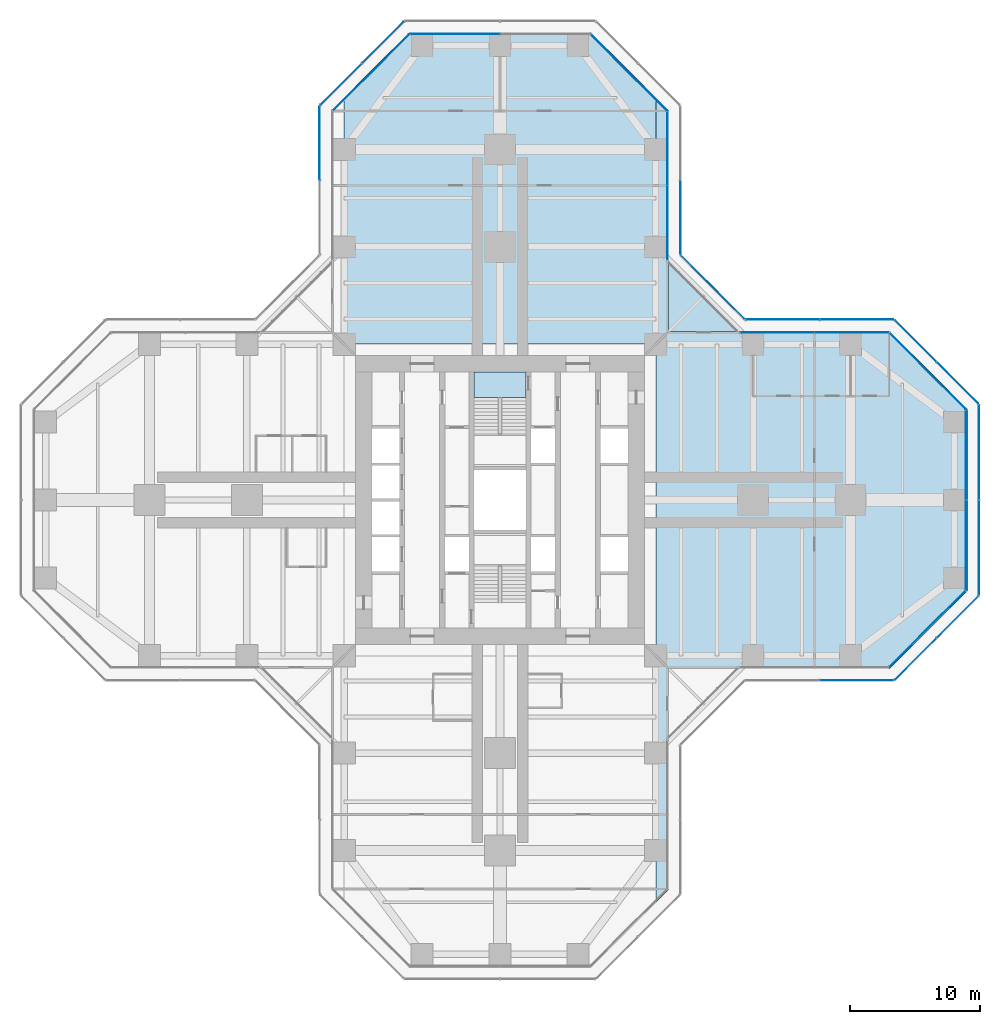
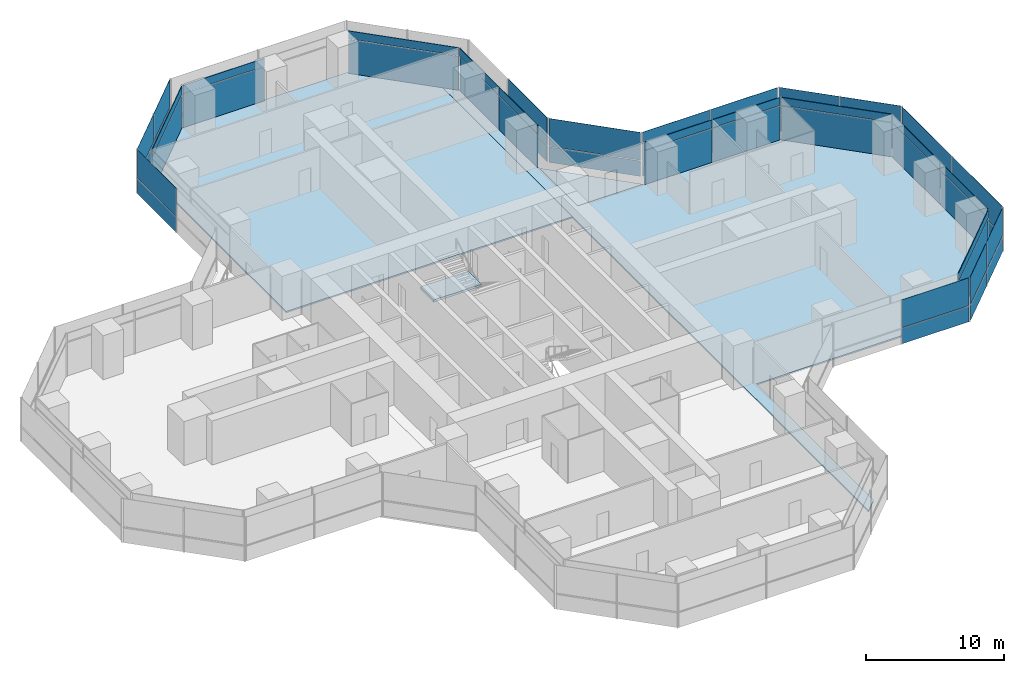
# One storey, part 16 of 22: 50 plates, 4 slabs, 18 elements without a shape of their own.
"""IFC4 building model written with IfcOpenShell, lengths in metres."""

from ifc_helpers import new_model, si_unit, direction, frame, origin, origin_2d, place, context, subcontext, project, spatial, polyline, rectangle, outline, extrude, material, layer, layer_set, type_object, element, aggregate, save


model = new_model("IFC4")

# Units and contexts
model_context = context("Model", 3, precision=1e-05, world=origin(), true_north=direction((0.0, 1.0)))
body_context = subcontext(model_context, "Body", "Model", "MODEL_VIEW")
ifc_project = project(units=[si_unit("LENGTHUNIT", "METRE"), si_unit("AREAUNIT", "SQUARE_METRE"), si_unit("VOLUMEUNIT", "CUBIC_METRE"), si_unit("PLANEANGLEUNIT", "RADIAN"), si_unit("MASSUNIT", "GRAM", prefix="KILO")], contexts=[model_context])

# Site, building, storey
site_placement = place(None, origin())
site = spatial("IfcSite", under=ifc_project, at=site_placement, CompositionType="ELEMENT")
building_placement = place(site_placement, origin())
building = spatial("IfcBuilding", under=site, at=building_placement, Name="Mizan Broadcast Tower", CompositionType="ELEMENT")
storey_placement = place(building_placement, frame((0.0, 0.0, 98.10009765625)))
storey = spatial("IfcBuildingStorey", under=building, at=storey_placement, Name="L21", CompositionType="ELEMENT", Elevation=98.10009765625)

# Slabs
ifc_material_1 = material(Name="Concrete C32/40", Category="concrete")
ifc_layer_1 = layer(ifc_material_1, 0.1298828125)
ifc_layer_set_1 = layer_set([ifc_layer_1], Name="Concrete C32/40")
slab_type_1 = type_object("IfcSlabType", Name="COMPOSITE DECK SLAB 130", PredefinedType="FLOOR", material=ifc_layer_set_1)
slab_1_placement = place(storey_placement, frame((0.0, 0.0, -0.130126953125)))
element("IfcSlab", 1, at=slab_1_placement, inside=storey, type_object=slab_type_1, Name="Floor slab L21 east arm", PredefinedType="FLOOR", context=body_context, shape_type="SweptSolid", body=[
    extrude(outline(polyline([(12.0, -31.0), (13.0, -30.0), (13.0, -13.0), (30.0, -13.0), (36.0, -7.0), (36.0, 7.0), (30.0, 13.0), (13.0, 13.0), (13.0, 30.0), (12.0, 31.0), (12.0, -31.0)])), origin(), (0.0, 0.0, 1.0), 0.130126953125),
])
slab_2_placement = place(storey_placement, frame((0.0, 0.0, -0.130126953125)))
element("IfcSlab", 2, at=slab_2_placement, inside=storey, type_object=slab_type_1, Name="Floor slab L21 north arm", PredefinedType="FLOOR", context=body_context, shape_type="SweptSolid", body=[
    extrude(outline(polyline([(-7.0, 36.0), (-12.0, 31.0), (-12.0, 12.0), (12.0, 12.0), (12.0, 31.0), (7.0, 36.0), (-7.0, 36.0)])), origin(), (0.0, 0.0, 1.0), 0.130126953125),
])

# Curtain wall, plate
ifc_material_2 = material(Name="Aluminium framed glazing", Category="aluminium")
curtain_wall_type_1 = type_object("IfcCurtainWallType", Name="INNER SKIN LOW ZONE", PredefinedType="USERDEFINED", material=ifc_material_2)
curtain_wall_1_placement = place(storey_placement, origin())
curtain_wall_1 = element("IfcCurtainWall", 3, at=curtain_wall_1_placement, inside=storey, type_object=curtain_wall_type_1, Name="Inner skin low zone L21 E chamfer", ObjectType="INNER SKIN LOW ZONE", PredefinedType="USERDEFINED")
ifc_material_3 = material(Name="Double glazing, clear low-e", Category="glass")
ifc_layer_2 = layer(ifc_material_3, 0.028076171875)
ifc_layer_set_2 = layer_set([ifc_layer_2], Name="Double glazing, clear low-e")
plate_type_1 = type_object("IfcPlateType", Name="INNER SKIN GLAZING UNIT", PredefinedType="CURTAIN_PANEL", material=ifc_layer_set_2)
plate_1_placement = place(storey_placement, frame((32.92919921875, -9.92919921875, 0.0), z_axis=(0.0, 0.0, 1.0), x_axis=(0.707106781187, 0.707106781187, 0.0)))
plate_1 = element("IfcPlate", 4, at=plate_1_placement, type_object=plate_type_1, Name="Inner skin low zone L21 E chamfer panel 1.1", PredefinedType="CURTAIN_PANEL", context=body_context, shape_type="SweptSolid", body=[
    extrude(rectangle(XDim=8.282470703125, YDim=0.028076171875, at=origin_2d()), origin(), (0.0, 0.0, 1.0), 3.0),
])

# Curtain wall, plates
curtain_wall_2_placement = place(storey_placement, origin())
curtain_wall_2 = element("IfcCurtainWall", 5, at=curtain_wall_2_placement, inside=storey, type_object=curtain_wall_type_1, Name="Inner skin low zone L21 E end", ObjectType="INNER SKIN LOW ZONE", PredefinedType="USERDEFINED")
plate_2_placement = place(storey_placement, frame((35.89990234375, -3.46435546875, 0.0), z_axis=(0.0, 0.0, 1.0), x_axis=(0.0, 1.0, 0.0)))
plate_2 = element("IfcPlate", 6, at=plate_2_placement, type_object=plate_type_1, Name="Inner skin low zone L21 E end panel 1.1", PredefinedType="CURTAIN_PANEL", context=body_context, shape_type="SweptSolid", body=[
    extrude(rectangle(XDim=6.86865234375, YDim=0.028076171875, at=origin_2d()), origin(), (0.0, 0.0, 1.0), 3.0),
])
plate_3_placement = place(storey_placement, frame((35.89990234375, 3.46435546875, 0.0), z_axis=(0.0, 0.0, 1.0), x_axis=(0.0, 1.0, 0.0)))
plate_3 = element("IfcPlate", 7, at=plate_3_placement, type_object=plate_type_1, Name="Inner skin low zone L21 E end panel 2.1", PredefinedType="CURTAIN_PANEL", context=body_context, shape_type="SweptSolid", body=[
    extrude(rectangle(XDim=6.86865234375, YDim=0.028076171875, at=origin_2d()), origin(), (0.0, 0.0, 1.0), 3.0),
])

# Curtain wall, plate
curtain_wall_3_placement = place(storey_placement, origin())
curtain_wall_3 = element("IfcCurtainWall", 8, at=curtain_wall_3_placement, inside=storey, type_object=curtain_wall_type_1, Name="Inner skin low zone L21 E chamfer", ObjectType="INNER SKIN LOW ZONE", PredefinedType="USERDEFINED")
plate_4_placement = place(storey_placement, frame((32.92919921875, 9.92919921875, 0.0), z_axis=(0.0, 0.0, 1.0), x_axis=(-0.707106781187, 0.707106781187, 0.0)))
plate_4 = element("IfcPlate", 9, at=plate_4_placement, type_object=plate_type_1, Name="Inner skin low zone L21 E chamfer panel 1.1", PredefinedType="CURTAIN_PANEL", context=body_context, shape_type="SweptSolid", body=[
    extrude(rectangle(XDim=8.282470703125, YDim=0.028076171875, at=origin_2d()), origin(), (0.0, 0.0, 1.0), 3.0),
])

# Curtain wall, plates
curtain_wall_4_placement = place(storey_placement, origin())
curtain_wall_4 = element("IfcCurtainWall", 10, at=curtain_wall_4_placement, inside=storey, type_object=curtain_wall_type_1, Name="Inner skin low zone L21 E side", ObjectType="INNER SKIN LOW ZONE", PredefinedType="USERDEFINED")
plate_5_placement = place(storey_placement, frame((27.078857421875, 12.89990234375, 0.0), z_axis=(0.0, 0.0, 1.0), x_axis=(-1.0, 0.0, 0.0)))
plate_5 = element("IfcPlate", 11, at=plate_5_placement, type_object=plate_type_1, Name="Inner skin low zone L21 E side panel 1.1", PredefinedType="CURTAIN_PANEL", context=body_context, shape_type="SweptSolid", body=[
    extrude(rectangle(XDim=5.639404296875, YDim=0.028076171875, at=origin_2d()), origin(), (0.0, 0.0, 1.0), 3.0),
])
plate_6_placement = place(storey_placement, frame((21.379638671875, 12.89990234375, 0.0), z_axis=(0.0, 0.0, 1.0), x_axis=(-1.0, 0.0, 0.0)))
plate_6 = element("IfcPlate", 12, at=plate_6_placement, type_object=plate_type_1, Name="Inner skin low zone L21 E side panel 2.1", PredefinedType="CURTAIN_PANEL", context=body_context, shape_type="SweptSolid", body=[
    extrude(rectangle(XDim=5.639404296875, YDim=0.028076171875, at=origin_2d()), origin(), (0.0, 0.0, 1.0), 3.0),
])

curtain_wall_5_placement = place(storey_placement, origin())
curtain_wall_5 = element("IfcCurtainWall", 13, at=curtain_wall_5_placement, inside=storey, type_object=curtain_wall_type_1, Name="Inner skin low zone L21 N side", ObjectType="INNER SKIN LOW ZONE", PredefinedType="USERDEFINED")
plate_7_placement = place(storey_placement, frame((12.89990234375, 21.379638671875, 0.0), z_axis=(0.0, 0.0, 1.0), x_axis=(0.0, 1.0, 0.0)))
plate_7 = element("IfcPlate", 14, at=plate_7_placement, type_object=plate_type_1, Name="Inner skin low zone L21 N side panel 1.1", PredefinedType="CURTAIN_PANEL", context=body_context, shape_type="SweptSolid", body=[
    extrude(rectangle(XDim=5.639404296875, YDim=0.028076171875, at=origin_2d()), origin(), (0.0, 0.0, 1.0), 3.0),
])
plate_8_placement = place(storey_placement, frame((12.89990234375, 27.078857421875, 0.0), z_axis=(0.0, 0.0, 1.0), x_axis=(0.0, 1.0, 0.0)))
plate_8 = element("IfcPlate", 15, at=plate_8_placement, type_object=plate_type_1, Name="Inner skin low zone L21 N side panel 2.1", PredefinedType="CURTAIN_PANEL", context=body_context, shape_type="SweptSolid", body=[
    extrude(rectangle(XDim=5.639404296875, YDim=0.028076171875, at=origin_2d()), origin(), (0.0, 0.0, 1.0), 3.0),
])

# Curtain wall, plate
curtain_wall_6_placement = place(storey_placement, origin())
curtain_wall_6 = element("IfcCurtainWall", 16, at=curtain_wall_6_placement, inside=storey, type_object=curtain_wall_type_1, Name="Inner skin low zone L21 N chamfer", ObjectType="INNER SKIN LOW ZONE", PredefinedType="USERDEFINED")
plate_9_placement = place(storey_placement, frame((9.92919921875, 32.92919921875, 0.0), z_axis=(0.0, 0.0, 1.0), x_axis=(-0.707106781187, 0.707106781187, 0.0)))
plate_9 = element("IfcPlate", 17, at=plate_9_placement, type_object=plate_type_1, Name="Inner skin low zone L21 N chamfer panel 1.1", PredefinedType="CURTAIN_PANEL", context=body_context, shape_type="SweptSolid", body=[
    extrude(rectangle(XDim=8.282470703125, YDim=0.028076171875, at=origin_2d()), origin(), (0.0, 0.0, 1.0), 3.0),
])

curtain_wall_7_placement = place(storey_placement, origin())
curtain_wall_7 = element("IfcCurtainWall", 18, at=curtain_wall_7_placement, inside=storey, type_object=curtain_wall_type_1, Name="Inner skin low zone L21 N end", ObjectType="INNER SKIN LOW ZONE", PredefinedType="USERDEFINED")
plate_10_placement = place(storey_placement, frame((-3.46435546875, 35.89990234375, 0.0), z_axis=(0.0, 0.0, 1.0), x_axis=(-1.0, 0.0, 0.0)))
plate_10 = element("IfcPlate", 19, at=plate_10_placement, type_object=plate_type_1, Name="Inner skin low zone L21 N end panel 2.1", PredefinedType="CURTAIN_PANEL", context=body_context, shape_type="SweptSolid", body=[
    extrude(rectangle(XDim=6.86865234375, YDim=0.028076171875, at=origin_2d()), origin(), (0.0, 0.0, 1.0), 3.0),
])

curtain_wall_8_placement = place(storey_placement, origin())
curtain_wall_8 = element("IfcCurtainWall", 20, at=curtain_wall_8_placement, inside=storey, type_object=curtain_wall_type_1, Name="Inner skin low zone L21 N chamfer", ObjectType="INNER SKIN LOW ZONE", PredefinedType="USERDEFINED")
plate_11_placement = place(storey_placement, frame((-9.92919921875, 32.92919921875, 0.0), z_axis=(0.0, 0.0, 1.0), x_axis=(-0.707106781187, -0.707106781187, 0.0)))
plate_11 = element("IfcPlate", 21, at=plate_11_placement, type_object=plate_type_1, Name="Inner skin low zone L21 N chamfer panel 1.1", PredefinedType="CURTAIN_PANEL", context=body_context, shape_type="SweptSolid", body=[
    extrude(rectangle(XDim=8.282470703125, YDim=0.028076171875, at=origin_2d()), origin(), (0.0, 0.0, 1.0), 3.0),
])

# Plate
ifc_material_4 = material(Name="Insulated aluminium spandrel panel, pale anodised", Category="aluminium")
ifc_layer_3 = layer(ifc_material_4, 0.050048828125)
ifc_layer_set_3 = layer_set([ifc_layer_3], Name="Insulated aluminium spandrel panel, pale anodised")
plate_type_2 = type_object("IfcPlateType", Name="INNER SKIN SPANDREL PANEL", PredefinedType="CURTAIN_PANEL", material=ifc_layer_set_3)
plate_12_placement = place(storey_placement, frame((32.92919921875, -9.92919921875, 3.059814453125), z_axis=(0.0, 0.0, 1.0), x_axis=(0.707106781187, 0.707106781187, 0.0)))
plate_12 = element("IfcPlate", 22, at=plate_12_placement, type_object=plate_type_2, Name="Inner skin low zone L21 E chamfer panel 1.2", PredefinedType="CURTAIN_PANEL", context=body_context, shape_type="SweptSolid", body=[
    extrude(rectangle(XDim=8.282470703125, YDim=0.050048828125, at=origin_2d()), origin(), (0.0, 0.0, 1.0), 0.7099609375),
])

aggregate(curtain_wall_1, [plate_1, plate_12])

plate_13_placement = place(storey_placement, frame((35.89990234375, -3.46435546875, 3.059814453125), z_axis=(0.0, 0.0, 1.0), x_axis=(0.0, 1.0, 0.0)))
plate_13 = element("IfcPlate", 23, at=plate_13_placement, type_object=plate_type_2, Name="Inner skin low zone L21 E end panel 1.2", PredefinedType="CURTAIN_PANEL", context=body_context, shape_type="SweptSolid", body=[
    extrude(rectangle(XDim=6.86865234375, YDim=0.050048828125, at=origin_2d()), origin(), (0.0, 0.0, 1.0), 0.7099609375),
])

plate_14_placement = place(storey_placement, frame((35.89990234375, 3.46435546875, 3.059814453125), z_axis=(0.0, 0.0, 1.0), x_axis=(0.0, 1.0, 0.0)))
plate_14 = element("IfcPlate", 24, at=plate_14_placement, type_object=plate_type_2, Name="Inner skin low zone L21 E end panel 2.2", PredefinedType="CURTAIN_PANEL", context=body_context, shape_type="SweptSolid", body=[
    extrude(rectangle(XDim=6.86865234375, YDim=0.050048828125, at=origin_2d()), origin(), (0.0, 0.0, 1.0), 0.7099609375),
])

aggregate(curtain_wall_2, [plate_2, plate_13, plate_3, plate_14])

plate_15_placement = place(storey_placement, frame((32.92919921875, 9.92919921875, 3.059814453125), z_axis=(0.0, 0.0, 1.0), x_axis=(-0.707106781187, 0.707106781187, 0.0)))
plate_15 = element("IfcPlate", 25, at=plate_15_placement, type_object=plate_type_2, Name="Inner skin low zone L21 E chamfer panel 1.2", PredefinedType="CURTAIN_PANEL", context=body_context, shape_type="SweptSolid", body=[
    extrude(rectangle(XDim=8.282470703125, YDim=0.050048828125, at=origin_2d()), origin(), (0.0, 0.0, 1.0), 0.7099609375),
])

aggregate(curtain_wall_3, [plate_4, plate_15])

plate_16_placement = place(storey_placement, frame((27.078857421875, 12.89990234375, 3.059814453125), z_axis=(0.0, 0.0, 1.0), x_axis=(-1.0, 0.0, 0.0)))
plate_16 = element("IfcPlate", 26, at=plate_16_placement, type_object=plate_type_2, Name="Inner skin low zone L21 E side panel 1.2", PredefinedType="CURTAIN_PANEL", context=body_context, shape_type="SweptSolid", body=[
    extrude(rectangle(XDim=5.639404296875, YDim=0.050048828125, at=origin_2d()), origin(), (0.0, 0.0, 1.0), 0.7099609375),
])

plate_17_placement = place(storey_placement, frame((21.379638671875, 12.89990234375, 3.059814453125), z_axis=(0.0, 0.0, 1.0), x_axis=(-1.0, 0.0, 0.0)))
plate_17 = element("IfcPlate", 27, at=plate_17_placement, type_object=plate_type_2, Name="Inner skin low zone L21 E side panel 2.2", PredefinedType="CURTAIN_PANEL", context=body_context, shape_type="SweptSolid", body=[
    extrude(rectangle(XDim=5.639404296875, YDim=0.050048828125, at=origin_2d()), origin(), (0.0, 0.0, 1.0), 0.7099609375),
])

aggregate(curtain_wall_4, [plate_5, plate_16, plate_6, plate_17])

plate_18_placement = place(storey_placement, frame((12.89990234375, 21.379638671875, 3.059814453125), z_axis=(0.0, 0.0, 1.0), x_axis=(0.0, 1.0, 0.0)))
plate_18 = element("IfcPlate", 28, at=plate_18_placement, type_object=plate_type_2, Name="Inner skin low zone L21 N side panel 1.2", PredefinedType="CURTAIN_PANEL", context=body_context, shape_type="SweptSolid", body=[
    extrude(rectangle(XDim=5.639404296875, YDim=0.050048828125, at=origin_2d()), origin(), (0.0, 0.0, 1.0), 0.7099609375),
])

plate_19_placement = place(storey_placement, frame((12.89990234375, 27.078857421875, 3.059814453125), z_axis=(0.0, 0.0, 1.0), x_axis=(0.0, 1.0, 0.0)))
plate_19 = element("IfcPlate", 29, at=plate_19_placement, type_object=plate_type_2, Name="Inner skin low zone L21 N side panel 2.2", PredefinedType="CURTAIN_PANEL", context=body_context, shape_type="SweptSolid", body=[
    extrude(rectangle(XDim=5.639404296875, YDim=0.050048828125, at=origin_2d()), origin(), (0.0, 0.0, 1.0), 0.7099609375),
])

aggregate(curtain_wall_5, [plate_7, plate_18, plate_8, plate_19])

plate_20_placement = place(storey_placement, frame((9.92919921875, 32.92919921875, 3.059814453125), z_axis=(0.0, 0.0, 1.0), x_axis=(-0.707106781187, 0.707106781187, 0.0)))
plate_20 = element("IfcPlate", 30, at=plate_20_placement, type_object=plate_type_2, Name="Inner skin low zone L21 N chamfer panel 1.2", PredefinedType="CURTAIN_PANEL", context=body_context, shape_type="SweptSolid", body=[
    extrude(rectangle(XDim=8.282470703125, YDim=0.050048828125, at=origin_2d()), origin(), (0.0, 0.0, 1.0), 0.7099609375),
])

aggregate(curtain_wall_6, [plate_9, plate_20])

plate_21_placement = place(storey_placement, frame((-3.46435546875, 35.89990234375, 3.059814453125), z_axis=(0.0, 0.0, 1.0), x_axis=(-1.0, 0.0, 0.0)))
plate_21 = element("IfcPlate", 31, at=plate_21_placement, type_object=plate_type_2, Name="Inner skin low zone L21 N end panel 2.2", PredefinedType="CURTAIN_PANEL", context=body_context, shape_type="SweptSolid", body=[
    extrude(rectangle(XDim=6.86865234375, YDim=0.050048828125, at=origin_2d()), origin(), (0.0, 0.0, 1.0), 0.7099609375),
])

aggregate(curtain_wall_7, [plate_10, plate_21])

plate_22_placement = place(storey_placement, frame((-9.92919921875, 32.92919921875, 3.059814453125), z_axis=(0.0, 0.0, 1.0), x_axis=(-0.707106781187, -0.707106781187, 0.0)))
plate_22 = element("IfcPlate", 32, at=plate_22_placement, type_object=plate_type_2, Name="Inner skin low zone L21 N chamfer panel 1.2", PredefinedType="CURTAIN_PANEL", context=body_context, shape_type="SweptSolid", body=[
    extrude(rectangle(XDim=8.282470703125, YDim=0.050048828125, at=origin_2d()), origin(), (0.0, 0.0, 1.0), 0.7099609375),
])

aggregate(curtain_wall_8, [plate_11, plate_22])

# Curtain wall, plates
ifc_material_5 = material(Name="Aluminium framed glazing", Category="aluminium")
curtain_wall_type_2 = type_object("IfcCurtainWallType", Name="OUTER SKIN", PredefinedType="USERDEFINED", material=ifc_material_5)
curtain_wall_9_placement = place(storey_placement, origin())
curtain_wall_9 = element("IfcCurtainWall", 33, at=curtain_wall_9_placement, inside=storey, type_object=curtain_wall_type_2, Name="Outer skin L21 E chamfer", ObjectType="OUTER SKIN", PredefinedType="USERDEFINED")
ifc_material_6 = material(Name="Laminated clear glass", Category="glass")
ifc_layer_4 = layer(ifc_material_6, 0.02001953125)
ifc_layer_set_4 = layer_set([ifc_layer_4], Name="Laminated clear glass")
plate_type_3 = type_object("IfcPlateType", Name="OUTER SKIN CLEAR GLASS", PredefinedType="CURTAIN_PANEL", material=ifc_layer_set_4)
plate_23_placement = place(storey_placement, frame((32.018798828125, -12.254150390625, -0.000244140625), z_axis=(0.0, 0.0, 1.0), x_axis=(0.707106781187, 0.707106781187, 0.0)))
plate_23 = element("IfcPlate", 34, at=plate_23_placement, type_object=plate_type_3, Name="Outer skin L21 E chamfer panel 1.1", PredefinedType="CURTAIN_PANEL", context=body_context, shape_type="SweptSolid", body=[
    extrude(rectangle(XDim=4.495361328125, YDim=0.02001953125, at=origin_2d()), origin(), (0.0, 0.0, 1.0), 1.3701171875),
])
plate_24_placement = place(storey_placement, frame((32.018798828125, -12.254150390625, 1.4296875), z_axis=(0.0, 0.0, 1.0), x_axis=(0.707106781187, 0.707106781187, 0.0)))
plate_24 = element("IfcPlate", 35, at=plate_24_placement, type_object=plate_type_3, Name="Outer skin L21 E chamfer panel 1.2", PredefinedType="CURTAIN_PANEL", context=body_context, shape_type="SweptSolid", body=[
    extrude(rectangle(XDim=4.495361328125, YDim=0.02001953125, at=origin_2d()), origin(), (0.0, 0.0, 1.0), 2.469970703125),
])

curtain_wall_10_placement = place(storey_placement, origin())
curtain_wall_10 = element("IfcCurtainWall", 36, at=curtain_wall_10_placement, inside=storey, type_object=curtain_wall_type_2, Name="Outer skin L21 E end", ObjectType="OUTER SKIN", PredefinedType="USERDEFINED")
plate_25_placement = place(storey_placement, frame((36.89990234375, -3.66650390625, -0.000244140625), z_axis=(0.0, 0.0, 1.0), x_axis=(0.0, 1.0, 0.0)))
plate_25 = element("IfcPlate", 37, at=plate_25_placement, type_object=plate_type_3, Name="Outer skin L21 E end panel 1.1", PredefinedType="CURTAIN_PANEL", context=body_context, shape_type="SweptSolid", body=[
    extrude(rectangle(XDim=7.252685546875, YDim=0.02001953125, at=origin_2d()), origin(), (0.0, 0.0, 1.0), 1.3701171875),
])
plate_26_placement = place(storey_placement, frame((36.89990234375, -3.66650390625, 1.4296875), z_axis=(0.0, 0.0, 1.0), x_axis=(0.0, 1.0, 0.0)))
plate_26 = element("IfcPlate", 38, at=plate_26_placement, type_object=plate_type_3, Name="Outer skin L21 E end panel 1.2", PredefinedType="CURTAIN_PANEL", context=body_context, shape_type="SweptSolid", body=[
    extrude(rectangle(XDim=7.252685546875, YDim=0.02001953125, at=origin_2d()), origin(), (0.0, 0.0, 1.0), 2.469970703125),
])

curtain_wall_11_placement = place(storey_placement, origin())
curtain_wall_11 = element("IfcCurtainWall", 39, at=curtain_wall_11_placement, inside=storey, type_object=curtain_wall_type_2, Name="Outer skin L21 E chamfer", ObjectType="OUTER SKIN", PredefinedType="USERDEFINED")
plate_27_placement = place(storey_placement, frame((35.254150390625, 9.018798828125, -0.000244140625), z_axis=(0.0, 0.0, 1.0), x_axis=(-0.707106781187, 0.707106781187, 0.0)))
plate_27 = element("IfcPlate", 40, at=plate_27_placement, type_object=plate_type_3, Name="Outer skin L21 E chamfer panel 1.1", PredefinedType="CURTAIN_PANEL", context=body_context, shape_type="SweptSolid", body=[
    extrude(rectangle(XDim=4.495361328125, YDim=0.02001953125, at=origin_2d()), origin(), (0.0, 0.0, 1.0), 1.3701171875),
])
plate_28_placement = place(storey_placement, frame((35.254150390625, 9.018798828125, 1.4296875), z_axis=(0.0, 0.0, 1.0), x_axis=(-0.707106781187, 0.707106781187, 0.0)))
plate_28 = element("IfcPlate", 41, at=plate_28_placement, type_object=plate_type_3, Name="Outer skin L21 E chamfer panel 1.2", PredefinedType="CURTAIN_PANEL", context=body_context, shape_type="SweptSolid", body=[
    extrude(rectangle(XDim=4.495361328125, YDim=0.02001953125, at=origin_2d()), origin(), (0.0, 0.0, 1.0), 2.469970703125),
])

curtain_wall_12_placement = place(storey_placement, origin())
curtain_wall_12 = element("IfcCurtainWall", 42, at=curtain_wall_12_placement, inside=storey, type_object=curtain_wall_type_2, Name="Outer skin L21 E side", ObjectType="OUTER SKIN", PredefinedType="USERDEFINED")
plate_29_placement = place(storey_placement, frame((27.477783203125, 13.89990234375, -0.000244140625), z_axis=(0.0, 0.0, 1.0), x_axis=(-1.0, 0.0, 0.0)))
plate_29 = element("IfcPlate", 43, at=plate_29_placement, type_object=plate_type_3, Name="Outer skin L21 E side panel 1.1", PredefinedType="CURTAIN_PANEL", context=body_context, shape_type="SweptSolid", body=[
    extrude(rectangle(XDim=5.6298828125, YDim=0.02001953125, at=origin_2d()), origin(), (0.0, 0.0, 1.0), 1.3701171875),
])
plate_30_placement = place(storey_placement, frame((27.477783203125, 13.89990234375, 1.4296875), z_axis=(0.0, 0.0, 1.0), x_axis=(-1.0, 0.0, 0.0)))
plate_30 = element("IfcPlate", 44, at=plate_30_placement, type_object=plate_type_3, Name="Outer skin L21 E side panel 1.2", PredefinedType="CURTAIN_PANEL", context=body_context, shape_type="SweptSolid", body=[
    extrude(rectangle(XDim=5.6298828125, YDim=0.02001953125, at=origin_2d()), origin(), (0.0, 0.0, 1.0), 2.469970703125),
])
plate_31_placement = place(storey_placement, frame((21.767822265625, 13.89990234375, -0.000244140625), z_axis=(0.0, 0.0, 1.0), x_axis=(-1.0, 0.0, 0.0)))
plate_31 = element("IfcPlate", 45, at=plate_31_placement, type_object=plate_type_3, Name="Outer skin L21 E side panel 2.1", PredefinedType="CURTAIN_PANEL", context=body_context, shape_type="SweptSolid", body=[
    extrude(rectangle(XDim=5.6298828125, YDim=0.02001953125, at=origin_2d()), origin(), (0.0, 0.0, 1.0), 1.3701171875),
])
plate_32_placement = place(storey_placement, frame((21.767822265625, 13.89990234375, 1.4296875), z_axis=(0.0, 0.0, 1.0), x_axis=(-1.0, 0.0, 0.0)))
plate_32 = element("IfcPlate", 46, at=plate_32_placement, type_object=plate_type_3, Name="Outer skin L21 E side panel 2.2", PredefinedType="CURTAIN_PANEL", context=body_context, shape_type="SweptSolid", body=[
    extrude(rectangle(XDim=5.6298828125, YDim=0.02001953125, at=origin_2d()), origin(), (0.0, 0.0, 1.0), 2.469970703125),
])
aggregate(curtain_wall_12, [plate_29, plate_30, plate_31, plate_32])

curtain_wall_13_placement = place(storey_placement, origin())
curtain_wall_13 = element("IfcCurtainWall", 47, at=curtain_wall_13_placement, inside=storey, type_object=curtain_wall_type_2, Name="Outer skin L21 E chamfer", ObjectType="OUTER SKIN", PredefinedType="USERDEFINED")
plate_33_placement = place(storey_placement, frame((16.386474609375, 16.386474609375, -0.000244140625), z_axis=(0.0, 0.0, 1.0), x_axis=(-0.707106781187, 0.707106781187, 0.0)))
plate_33 = element("IfcPlate", 48, at=plate_33_placement, type_object=plate_type_3, Name="Outer skin L21 E chamfer panel 1.1", PredefinedType="CURTAIN_PANEL", context=body_context, shape_type="SweptSolid", body=[
    extrude(rectangle(XDim=6.87255859375, YDim=0.02001953125, at=origin_2d()), origin(), (0.0, 0.0, 1.0), 1.3701171875),
])
plate_34_placement = place(storey_placement, frame((16.386474609375, 16.386474609375, 1.4296875), z_axis=(0.0, 0.0, 1.0), x_axis=(-0.707106781187, 0.707106781187, 0.0)))
plate_34 = element("IfcPlate", 49, at=plate_34_placement, type_object=plate_type_3, Name="Outer skin L21 E chamfer panel 1.2", PredefinedType="CURTAIN_PANEL", context=body_context, shape_type="SweptSolid", body=[
    extrude(rectangle(XDim=6.87255859375, YDim=0.02001953125, at=origin_2d()), origin(), (0.0, 0.0, 1.0), 2.469970703125),
])
aggregate(curtain_wall_13, [plate_33, plate_34])

curtain_wall_14_placement = place(storey_placement, origin())
curtain_wall_14 = element("IfcCurtainWall", 50, at=curtain_wall_14_placement, inside=storey, type_object=curtain_wall_type_2, Name="Outer skin L21 N side", ObjectType="OUTER SKIN", PredefinedType="USERDEFINED")
plate_35_placement = place(storey_placement, frame((13.89990234375, 21.767822265625, -0.000244140625), z_axis=(0.0, 0.0, 1.0), x_axis=(0.0, 1.0, 0.0)))
plate_35 = element("IfcPlate", 51, at=plate_35_placement, type_object=plate_type_3, Name="Outer skin L21 N side panel 1.1", PredefinedType="CURTAIN_PANEL", context=body_context, shape_type="SweptSolid", body=[
    extrude(rectangle(XDim=5.6298828125, YDim=0.02001953125, at=origin_2d()), origin(), (0.0, 0.0, 1.0), 1.3701171875),
])
plate_36_placement = place(storey_placement, frame((13.89990234375, 21.767822265625, 1.4296875), z_axis=(0.0, 0.0, 1.0), x_axis=(0.0, 1.0, 0.0)))
plate_36 = element("IfcPlate", 52, at=plate_36_placement, type_object=plate_type_3, Name="Outer skin L21 N side panel 1.2", PredefinedType="CURTAIN_PANEL", context=body_context, shape_type="SweptSolid", body=[
    extrude(rectangle(XDim=5.6298828125, YDim=0.02001953125, at=origin_2d()), origin(), (0.0, 0.0, 1.0), 2.469970703125),
])
aggregate(curtain_wall_14, [plate_35, plate_36])

curtain_wall_15_placement = place(storey_placement, origin())
curtain_wall_15 = element("IfcCurtainWall", 53, at=curtain_wall_15_placement, inside=storey, type_object=curtain_wall_type_2, Name="Outer skin L21 N chamfer", ObjectType="OUTER SKIN", PredefinedType="USERDEFINED")
plate_37_placement = place(storey_placement, frame((-9.018798828125, 35.254150390625, -0.000244140625), z_axis=(0.0, 0.0, 1.0), x_axis=(-0.707106781187, -0.707106781187, 0.0)))
plate_37 = element("IfcPlate", 54, at=plate_37_placement, type_object=plate_type_3, Name="Outer skin L21 N chamfer panel 1.1", PredefinedType="CURTAIN_PANEL", context=body_context, shape_type="SweptSolid", body=[
    extrude(rectangle(XDim=4.495361328125, YDim=0.02001953125, at=origin_2d()), origin(), (0.0, 0.0, 1.0), 1.3701171875),
])
plate_38_placement = place(storey_placement, frame((-9.018798828125, 35.254150390625, 1.4296875), z_axis=(0.0, 0.0, 1.0), x_axis=(-0.707106781187, -0.707106781187, 0.0)))
plate_38 = element("IfcPlate", 55, at=plate_38_placement, type_object=plate_type_3, Name="Outer skin L21 N chamfer panel 1.2", PredefinedType="CURTAIN_PANEL", context=body_context, shape_type="SweptSolid", body=[
    extrude(rectangle(XDim=4.495361328125, YDim=0.02001953125, at=origin_2d()), origin(), (0.0, 0.0, 1.0), 2.469970703125),
])

curtain_wall_16_placement = place(storey_placement, origin())
curtain_wall_16 = element("IfcCurtainWall", 56, at=curtain_wall_16_placement, inside=storey, type_object=curtain_wall_type_2, Name="Outer skin L21 N side", ObjectType="OUTER SKIN", PredefinedType="USERDEFINED")
plate_39_placement = place(storey_placement, frame((-13.89990234375, 27.477783203125, -0.000244140625), z_axis=(0.0, 0.0, 1.0), x_axis=(0.0, -1.0, 0.0)))
plate_39 = element("IfcPlate", 57, at=plate_39_placement, type_object=plate_type_3, Name="Outer skin L21 N side panel 1.1", PredefinedType="CURTAIN_PANEL", context=body_context, shape_type="SweptSolid", body=[
    extrude(rectangle(XDim=5.6298828125, YDim=0.02001953125, at=origin_2d()), origin(), (0.0, 0.0, 1.0), 1.3701171875),
])
plate_40_placement = place(storey_placement, frame((-13.89990234375, 27.477783203125, 1.4296875), z_axis=(0.0, 0.0, 1.0), x_axis=(0.0, -1.0, 0.0)))
plate_40 = element("IfcPlate", 58, at=plate_40_placement, type_object=plate_type_3, Name="Outer skin L21 N side panel 1.2", PredefinedType="CURTAIN_PANEL", context=body_context, shape_type="SweptSolid", body=[
    extrude(rectangle(XDim=5.6298828125, YDim=0.02001953125, at=origin_2d()), origin(), (0.0, 0.0, 1.0), 2.469970703125),
])
aggregate(curtain_wall_16, [plate_39, plate_40])

# Plate
ifc_material_7 = material(Name="Perforated aluminium, pale anodised", Category="aluminium")
ifc_layer_5 = layer(ifc_material_7, 0.011962890625)
ifc_layer_set_5 = layer_set([ifc_layer_5], Name="Perforated aluminium, pale anodised")
plate_type_4 = type_object("IfcPlateType", Name="OUTER SKIN PERFORATED SCREEN", PredefinedType="USERDEFINED", material=ifc_layer_set_5)
plate_41_placement = place(storey_placement, frame((35.254150390625, -9.018798828125, -0.000244140625), z_axis=(0.0, 0.0, 1.0), x_axis=(0.707106781187, 0.707106781187, 0.0)))
plate_41 = element("IfcPlate", 59, at=plate_41_placement, type_object=plate_type_4, Name="Outer skin L21 E chamfer panel 2.1", ObjectType="SCREEN", PredefinedType="USERDEFINED", context=body_context, shape_type="SweptSolid", body=[
    extrude(rectangle(XDim=4.495361328125, YDim=0.011962890625, at=origin_2d()), origin(), (0.0, 0.0, 1.0), 1.3701171875),
])

plate_42_placement = place(storey_placement, frame((35.254150390625, -9.018798828125, 1.4296875), z_axis=(0.0, 0.0, 1.0), x_axis=(0.707106781187, 0.707106781187, 0.0)))
plate_42 = element("IfcPlate", 60, at=plate_42_placement, type_object=plate_type_4, Name="Outer skin L21 E chamfer panel 2.2", ObjectType="SCREEN", PredefinedType="USERDEFINED", context=body_context, shape_type="SweptSolid", body=[
    extrude(rectangle(XDim=4.495361328125, YDim=0.011962890625, at=origin_2d()), origin(), (0.0, 0.0, 1.0), 2.469970703125),
])

aggregate(curtain_wall_9, [plate_23, plate_24, plate_41, plate_42])

plate_43_placement = place(storey_placement, frame((36.89990234375, 3.66650390625, -0.000244140625), z_axis=(0.0, 0.0, 1.0), x_axis=(0.0, 1.0, 0.0)))
plate_43 = element("IfcPlate", 61, at=plate_43_placement, type_object=plate_type_4, Name="Outer skin L21 E end panel 2.1", ObjectType="SCREEN", PredefinedType="USERDEFINED", context=body_context, shape_type="SweptSolid", body=[
    extrude(rectangle(XDim=7.252685546875, YDim=0.011962890625, at=origin_2d()), origin(), (0.0, 0.0, 1.0), 1.3701171875),
])

plate_44_placement = place(storey_placement, frame((36.89990234375, 3.66650390625, 1.4296875), z_axis=(0.0, 0.0, 1.0), x_axis=(0.0, 1.0, 0.0)))
plate_44 = element("IfcPlate", 62, at=plate_44_placement, type_object=plate_type_4, Name="Outer skin L21 E end panel 2.2", ObjectType="SCREEN", PredefinedType="USERDEFINED", context=body_context, shape_type="SweptSolid", body=[
    extrude(rectangle(XDim=7.252685546875, YDim=0.011962890625, at=origin_2d()), origin(), (0.0, 0.0, 1.0), 2.469970703125),
])

aggregate(curtain_wall_10, [plate_25, plate_26, plate_43, plate_44])

plate_45_placement = place(storey_placement, frame((32.018798828125, 12.254150390625, -0.000244140625), z_axis=(0.0, 0.0, 1.0), x_axis=(-0.707106781187, 0.707106781187, 0.0)))
plate_45 = element("IfcPlate", 63, at=plate_45_placement, type_object=plate_type_4, Name="Outer skin L21 E chamfer panel 2.1", ObjectType="SCREEN", PredefinedType="USERDEFINED", context=body_context, shape_type="SweptSolid", body=[
    extrude(rectangle(XDim=4.495361328125, YDim=0.011962890625, at=origin_2d()), origin(), (0.0, 0.0, 1.0), 1.3701171875),
])

plate_46_placement = place(storey_placement, frame((32.018798828125, 12.254150390625, 1.4296875), z_axis=(0.0, 0.0, 1.0), x_axis=(-0.707106781187, 0.707106781187, 0.0)))
plate_46 = element("IfcPlate", 64, at=plate_46_placement, type_object=plate_type_4, Name="Outer skin L21 E chamfer panel 2.2", ObjectType="SCREEN", PredefinedType="USERDEFINED", context=body_context, shape_type="SweptSolid", body=[
    extrude(rectangle(XDim=4.495361328125, YDim=0.011962890625, at=origin_2d()), origin(), (0.0, 0.0, 1.0), 2.469970703125),
])

aggregate(curtain_wall_11, [plate_27, plate_28, plate_45, plate_46])

plate_47_placement = place(storey_placement, frame((-12.254150390625, 32.018798828125, -0.000244140625), z_axis=(0.0, 0.0, 1.0), x_axis=(-0.707106781187, -0.707106781187, 0.0)))
plate_47 = element("IfcPlate", 65, at=plate_47_placement, type_object=plate_type_4, Name="Outer skin L21 N chamfer panel 2.1", ObjectType="SCREEN", PredefinedType="USERDEFINED", context=body_context, shape_type="SweptSolid", body=[
    extrude(rectangle(XDim=4.495361328125, YDim=0.011962890625, at=origin_2d()), origin(), (0.0, 0.0, 1.0), 1.3701171875),
])

plate_48_placement = place(storey_placement, frame((-12.254150390625, 32.018798828125, 1.4296875), z_axis=(0.0, 0.0, 1.0), x_axis=(-0.707106781187, -0.707106781187, 0.0)))
plate_48 = element("IfcPlate", 66, at=plate_48_placement, type_object=plate_type_4, Name="Outer skin L21 N chamfer panel 2.2", ObjectType="SCREEN", PredefinedType="USERDEFINED", context=body_context, shape_type="SweptSolid", body=[
    extrude(rectangle(XDim=4.495361328125, YDim=0.011962890625, at=origin_2d()), origin(), (0.0, 0.0, 1.0), 2.469970703125),
])

aggregate(curtain_wall_15, [plate_37, plate_38, plate_47, plate_48])

# Curtain wall, plates
curtain_wall_17_placement = place(storey_placement, origin())
curtain_wall_17 = element("IfcCurtainWall", 67, at=curtain_wall_17_placement, inside=storey, type_object=curtain_wall_type_2, Name="Outer skin L21 E side", ObjectType="OUTER SKIN", PredefinedType="USERDEFINED")
plate_49_placement = place(storey_placement, frame((27.477783203125, -13.89990234375, -0.000244140625), z_axis=(0.0, 0.0, 1.0), x_axis=(1.0, 0.0, 0.0)))
plate_49 = element("IfcPlate", 68, at=plate_49_placement, type_object=plate_type_4, Name="Outer skin L21 E side panel 2.1", ObjectType="SCREEN", PredefinedType="USERDEFINED", context=body_context, shape_type="SweptSolid", body=[
    extrude(rectangle(XDim=5.6298828125, YDim=0.011962890625, at=origin_2d()), origin(), (0.0, 0.0, 1.0), 1.3701171875),
])
plate_50_placement = place(storey_placement, frame((27.477783203125, -13.89990234375, 1.4296875), z_axis=(0.0, 0.0, 1.0), x_axis=(1.0, 0.0, 0.0)))
plate_50 = element("IfcPlate", 69, at=plate_50_placement, type_object=plate_type_4, Name="Outer skin L21 E side panel 2.2", ObjectType="SCREEN", PredefinedType="USERDEFINED", context=body_context, shape_type="SweptSolid", body=[
    extrude(rectangle(XDim=5.6298828125, YDim=0.011962890625, at=origin_2d()), origin(), (0.0, 0.0, 1.0), 2.469970703125),
])
aggregate(curtain_wall_17, [plate_49, plate_50])

# Stair, slab
ifc_material_8 = material(Name="Concrete C40/50", Category="concrete")
stair_type = type_object("IfcStairType", Name="EXIT STAIR", PredefinedType="HALF_TURN_STAIR", material=ifc_material_8)
stair_placement = place(storey_placement, origin())
stair = element("IfcStair", 70, at=stair_placement, inside=storey, type_object=stair_type, Name="Stair B L21", PredefinedType="HALF_TURN_STAIR")
ifc_material_9 = material(Name="Concrete C40/50", Category="concrete")
ifc_layer_6 = layer(ifc_material_9, 0.199951171875)
ifc_layer_set_6 = layer_set([ifc_layer_6], Name="Concrete C40/50")
slab_type_2 = type_object("IfcSlabType", Name="STAIR LANDING 200", PredefinedType="LANDING", material=ifc_layer_set_6)
slab_3_placement = place(storey_placement, frame((0.0, 0.0, -0.2001953125)))
slab_3 = element("IfcSlab", 71, at=slab_3_placement, type_object=slab_type_2, Name="B landing 1", PredefinedType="LANDING", context=body_context, shape_type="SweptSolid", body=[
    extrude(outline(polyline([(2.0, 9.85009765625), (2.0, 7.89990234375), (-2.0, 7.89990234375), (-2.0, 9.85009765625), (2.0, 9.85009765625)])), origin(), (0.0, 0.0, 1.0), 0.2001953125),
])
aggregate(stair, [slab_3])

# Slab
ifc_material_10 = material(Name="Concrete C32/40", Category="concrete")
ifc_layer_7 = layer(ifc_material_10, 0.1298828125)
ifc_layer_set_7 = layer_set([ifc_layer_7], Name="Concrete C32/40")
slab_type_3 = type_object("IfcSlabType", Name="WINTER GARDEN SLAB 130", PredefinedType="FLOOR", material=ifc_layer_set_7)
slab_4_placement = place(storey_placement, frame((0.0, 0.0, -0.130126953125)))
element("IfcSlab", 72, at=slab_4_placement, inside=storey, type_object=slab_type_3, Name="Winter garden slab L21 E", PredefinedType="FLOOR", context=body_context, shape_type="SweptSolid", body=[
    extrude(outline(polyline([(13.0, 13.0), (18.5, 13.0), (13.0, 18.5), (13.0, 13.0)])), origin(), (0.0, 0.0, 1.0), 0.130126953125),
])

save(model, "model.ifc")
